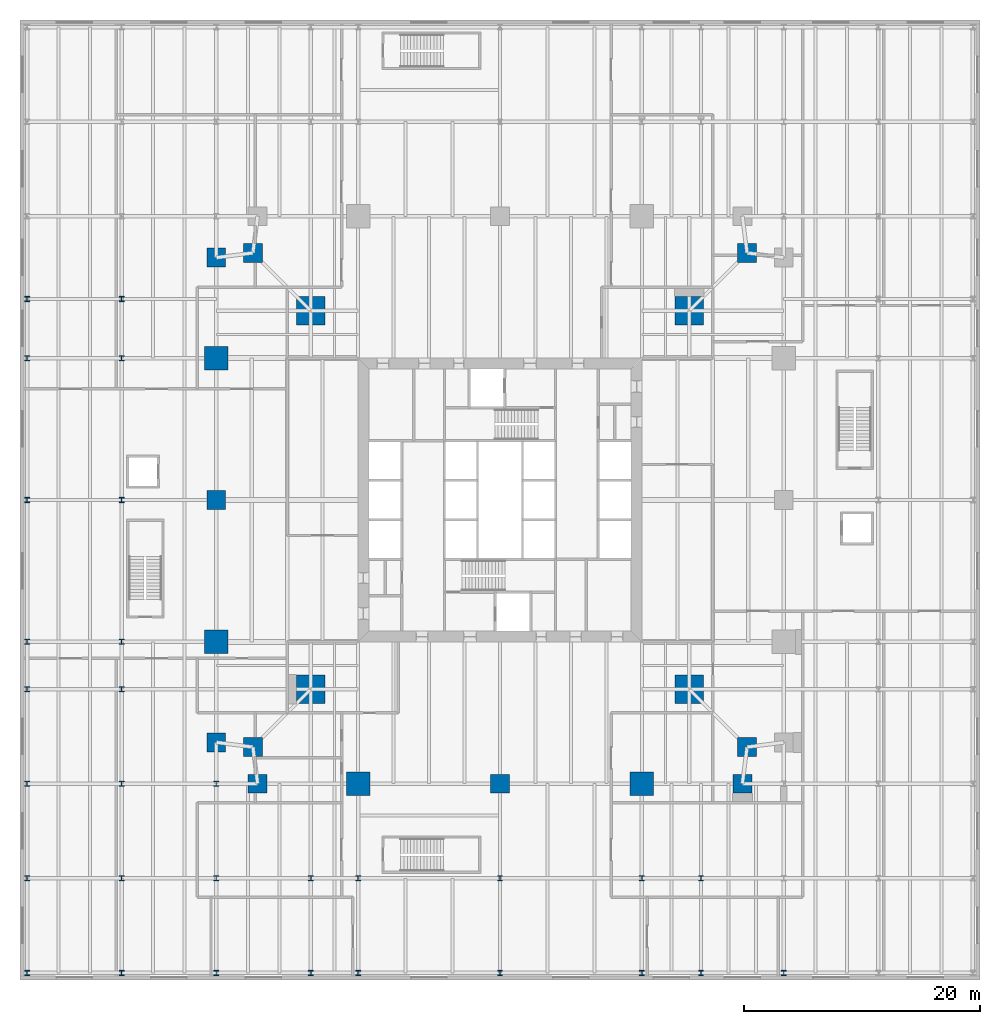
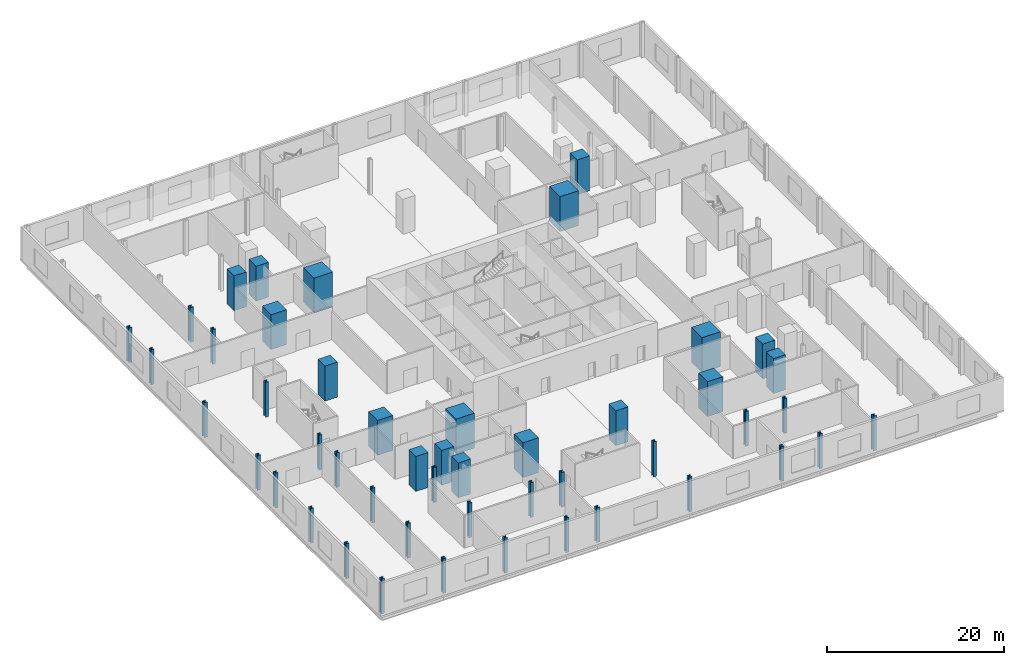
# One storey, part 1 of 16: 48 columns.
"""IFC4 building model written with IfcOpenShell, lengths in metres."""

from ifc_helpers import new_model, si_unit, direction, frame, origin, origin_2d, place, context, subcontext, project, spatial, rectangle, i_section, extrude, material, material_profile, profile_set, type_object, element, save


model = new_model("IFC4")

# Units and contexts
model_context = context("Model", 3, precision=1e-05, world=origin(), true_north=direction((0.0, 1.0)))
body_context = subcontext(model_context, "Body", "Model", "MODEL_VIEW")
ifc_project = project(units=[si_unit("LENGTHUNIT", "METRE"), si_unit("AREAUNIT", "SQUARE_METRE"), si_unit("VOLUMEUNIT", "CUBIC_METRE"), si_unit("PLANEANGLEUNIT", "RADIAN"), si_unit("MASSUNIT", "GRAM", prefix="KILO")], contexts=[model_context])

# Site, building, storey
site_placement = place(None, origin())
site = spatial("IfcSite", under=ifc_project, at=site_placement, CompositionType="ELEMENT")
building_placement = place(site_placement, origin())
building = spatial("IfcBuilding", under=site, at=building_placement, Name="Fenwick Lantern Interchange", CompositionType="ELEMENT")
storey_placement = place(building_placement, frame((0.0, 0.0, 7.0)))
storey = spatial("IfcBuildingStorey", under=building, at=storey_placement, Name="L01", CompositionType="ELEMENT", Elevation=7.0)

# Columns
ifc_material_1 = material(Name="Concrete f'c 70 MPa", Category="concrete")
ifc_material_profile_1 = material_profile(ifc_material_1, rectangle(XDim=2.39990234375, YDim=2.39990234375, at=origin_2d()), Name="RC2400X2400")
ifc_profile_set_1 = profile_set([ifc_material_profile_1], Name="Concrete f'c 70 MPa")
column_type_1 = type_object("IfcColumnType", Name="MEGA COLUMN RC2400X2400", PredefinedType="COLUMN", material=ifc_profile_set_1)
for number, where, z_axis, x_axis, name in (
    (1, (9.0, 9.0, 0.0), (0.0, 0.0, 1.0), (1.0, 0.0, 0.0), "L01/M1"),
    (2, (41.0, 9.0, 0.0), (0.0, 0.0, 1.0), (1.0, 0.0, 0.0), "L01/M2"),
    (3, (41.0, 41.0, 0.0), (0.0, 0.0, 1.0), (1.0, 0.0, 0.0), "L01/M3"),
    (4, (9.0, 41.0, 0.0), (0.0, 0.0, 1.0), (1.0, 0.0, 0.0), "L01/M4"),
):
    element("IfcColumn", number, at=place(storey_placement, frame(where, z_axis=z_axis, x_axis=x_axis)), inside=storey, type_object=column_type_1, Name=name, PredefinedType="COLUMN", context=body_context, shape_type="SweptSolid", body=[
        extrude(rectangle(XDim=2.39990234375, YDim=2.39990234375, at=origin_2d()), origin(), (0.0, 0.0, 1.0), 4.800048828125),
    ])
ifc_material_profile_2 = material_profile(ifc_material_1, rectangle(XDim=1.60009765625, YDim=1.60009765625, at=origin_2d()), Name="RC1600X1600")
ifc_profile_set_2 = profile_set([ifc_material_profile_2], Name="Concrete f'c 70 MPa")
column_type_2 = type_object("IfcColumnType", Name="PERIMETER COLUMN RC1600X1600", PredefinedType="COLUMN", material=ifc_profile_set_2)
for number, where, z_axis, x_axis, name in (
    (5, (4.5, 1.0, 0.0), (0.0, 0.0, 1.0), (1.0, 0.0, 0.0), "L01/CS1"),
    (6, (25.0, 1.0, 0.0), (0.0, 0.0, 1.0), (1.0, 0.0, 0.0), "L01/CS3"),
    (7, (45.5, 1.0, 0.0), (0.0, 0.0, 1.0), (1.0, 0.0, 0.0), "L01/CS5"),
    (8, (45.89990234375, 4.10009765625, 0.0), (0.0, 0.0, 1.0), (1.0, 0.0, 0.0), "L01/CSR"),
    (9, (45.89990234375, 45.89990234375, 0.0), (0.0, 0.0, 1.0), (1.0, 0.0, 0.0), "L01/CER"),
    (10, (4.10009765625, 45.89990234375, 0.0), (0.0, 0.0, 1.0), (1.0, 0.0, 0.0), "L01/CNR"),
    (11, (1.0, 45.5, 0.0), (0.0, 0.0, 1.0), (1.0, 0.0, 0.0), "L01/CW1"),
    (12, (1.0, 25.0, 0.0), (0.0, 0.0, 1.0), (1.0, 0.0, 0.0), "L01/CW3"),
    (13, (1.0, 4.5, 0.0), (0.0, 0.0, 1.0), (1.0, 0.0, 0.0), "L01/CW5"),
    (14, (4.10009765625, 4.10009765625, 0.0), (0.0, 0.0, 1.0), (1.0, 0.0, 0.0), "L01/CWR"),
):
    element("IfcColumn", number, at=place(storey_placement, frame(where, z_axis=z_axis, x_axis=x_axis)), inside=storey, type_object=column_type_2, Name=name, PredefinedType="COLUMN", context=body_context, shape_type="SweptSolid", body=[
        extrude(rectangle(XDim=1.60009765625, YDim=1.60009765625, at=origin_2d()), origin(), (0.0, 0.0, 1.0), 4.800048828125),
    ])
ifc_material_profile_3 = material_profile(ifc_material_1, rectangle(XDim=2.0, YDim=2.0, at=origin_2d()), Name="RC2000X2000")
ifc_profile_set_3 = profile_set([ifc_material_profile_3], Name="Concrete f'c 70 MPa")
column_type_3 = type_object("IfcColumnType", Name="PERIMETER COLUMN RC2000X2000", PredefinedType="COLUMN", material=ifc_profile_set_3)
for number, where, z_axis, x_axis, name in (
    (15, (13.0, 1.0, 0.0), (0.0, 0.0, 1.0), (1.0, 0.0, 0.0), "L01/CS2"),
    (16, (37.0, 1.0, 0.0), (0.0, 0.0, 1.0), (1.0, 0.0, 0.0), "L01/CS4"),
    (17, (1.0, 37.0, 0.0), (0.0, 0.0, 1.0), (1.0, 0.0, 0.0), "L01/CW2"),
    (18, (1.0, 13.0, 0.0), (0.0, 0.0, 1.0), (1.0, 0.0, 0.0), "L01/CW4"),
):
    element("IfcColumn", number, at=place(storey_placement, frame(where, z_axis=z_axis, x_axis=x_axis)), inside=storey, type_object=column_type_3, Name=name, PredefinedType="COLUMN", context=body_context, shape_type="SweptSolid", body=[
        extrude(rectangle(XDim=2.0, YDim=2.0, at=origin_2d()), origin(), (0.0, 0.0, 1.0), 4.800048828125),
    ])
ifc_material_2 = material(Name="Steel ASTM A992 Grade 50", Category="steel")
ifc_material_profile_4 = material_profile(ifc_material_2, i_section(OverallWidth=0.41650390625, OverallDepth=0.444580078125, WebThickness=0.0390625, FlangeThickness=0.062744140625, at=origin_2d()), Name="W14X342")
ifc_profile_set_4 = profile_set([ifc_material_profile_4], Name="Steel ASTM A992 Grade 50")
column_type_4 = type_object("IfcColumnType", Name="PODIUM COLUMN W14X342", PredefinedType="COLUMN", material=ifc_profile_set_4)
for number, where, z_axis, x_axis, name in (
    (19, (-15.0, -15.0, 0.0), (0.0, 0.0, 1.0), (1.0, 0.0, 0.0), "L01/PA1"),
    (20, (-15.0, -7.0, 0.0), (0.0, 0.0, 1.0), (1.0, 0.0, 0.0), "L01/PB1"),
    (21, (-15.0, 1.0, 0.0), (0.0, 0.0, 1.0), (1.0, 0.0, 0.0), "L01/PC1"),
    (22, (-15.0, 9.0, 0.0), (0.0, 0.0, 1.0), (1.0, 0.0, 0.0), "L01/PD1"),
    (23, (-15.0, 13.0, 0.0), (0.0, 0.0, 1.0), (1.0, 0.0, 0.0), "L01/PE1"),
    (24, (-15.0, 25.0, 0.0), (0.0, 0.0, 1.0), (1.0, 0.0, 0.0), "L01/PF1"),
    (25, (-15.0, 37.0, 0.0), (0.0, 0.0, 1.0), (1.0, 0.0, 0.0), "L01/PG1"),
    (26, (-15.0, 42.0, 0.0), (0.0, 0.0, 1.0), (1.0, 0.0, 0.0), "L01/PH1"),
    (27, (-7.0, -15.0, 0.0), (0.0, 0.0, 1.0), (1.0, 0.0, 0.0), "L01/PA2"),
    (28, (-7.0, -7.0, 0.0), (0.0, 0.0, 1.0), (1.0, 0.0, 0.0), "L01/PB2"),
    (29, (-7.0, 1.0, 0.0), (0.0, 0.0, 1.0), (1.0, 0.0, 0.0), "L01/PC2"),
    (30, (-7.0, 9.0, 0.0), (0.0, 0.0, 1.0), (1.0, 0.0, 0.0), "L01/PD2"),
    (31, (-7.0, 13.0, 0.0), (0.0, 0.0, 1.0), (1.0, 0.0, 0.0), "L01/PE2"),
    (32, (-7.0, 25.0, 0.0), (0.0, 0.0, 1.0), (1.0, 0.0, 0.0), "L01/PF2"),
    (33, (-7.0, 37.0, 0.0), (0.0, 0.0, 1.0), (1.0, 0.0, 0.0), "L01/PG2"),
    (34, (-7.0, 42.0, 0.0), (0.0, 0.0, 1.0), (1.0, 0.0, 0.0), "L01/PH2"),
    (35, (1.0, -15.0, 0.0), (0.0, 0.0, 1.0), (1.0, 0.0, 0.0), "L01/PA3"),
    (36, (1.0, -7.0, 0.0), (0.0, 0.0, 1.0), (1.0, 0.0, 0.0), "L01/PB3"),
    (37, (1.0, 1.0, 0.0), (0.0, 0.0, 1.0), (1.0, 0.0, 0.0), "L01/PC3"),
    (38, (9.0, -15.0, 0.0), (0.0, 0.0, 1.0), (1.0, 0.0, 0.0), "L01/PA4"),
    (39, (9.0, -7.0, 0.0), (0.0, 0.0, 1.0), (1.0, 0.0, 0.0), "L01/PB4"),
    (40, (13.0, -15.0, 0.0), (0.0, 0.0, 1.0), (1.0, 0.0, 0.0), "L01/PA5"),
    (41, (13.0, -7.0, 0.0), (0.0, 0.0, 1.0), (1.0, 0.0, 0.0), "L01/PB5"),
    (42, (25.0, -15.0, 0.0), (0.0, 0.0, 1.0), (1.0, 0.0, 0.0), "L01/PA6"),
    (43, (25.0, -7.0, 0.0), (0.0, 0.0, 1.0), (1.0, 0.0, 0.0), "L01/PB6"),
    (44, (37.0, -15.0, 0.0), (0.0, 0.0, 1.0), (1.0, 0.0, 0.0), "L01/PA7"),
    (45, (37.0, -7.0, 0.0), (0.0, 0.0, 1.0), (1.0, 0.0, 0.0), "L01/PB7"),
    (46, (42.0, -15.0, 0.0), (0.0, 0.0, 1.0), (1.0, 0.0, 0.0), "L01/PA8"),
    (47, (42.0, -7.0, 0.0), (0.0, 0.0, 1.0), (1.0, 0.0, 0.0), "L01/PB8"),
    (48, (49.0, -15.0, 0.0), (0.0, 0.0, 1.0), (1.0, 0.0, 0.0), "L01/PA9"),
):
    element("IfcColumn", number, at=place(storey_placement, frame(where, z_axis=z_axis, x_axis=x_axis)), inside=storey, type_object=column_type_4, Name=name, PredefinedType="COLUMN", context=body_context, shape_type="SweptSolid", body=[
        extrude(i_section(OverallWidth=0.41650390625, OverallDepth=0.444580078125, WebThickness=0.0390625, FlangeThickness=0.062744140625, at=origin_2d()), origin(), (0.0, 0.0, 1.0), 4.800048828125),
    ])

save(model, "model.ifc")
